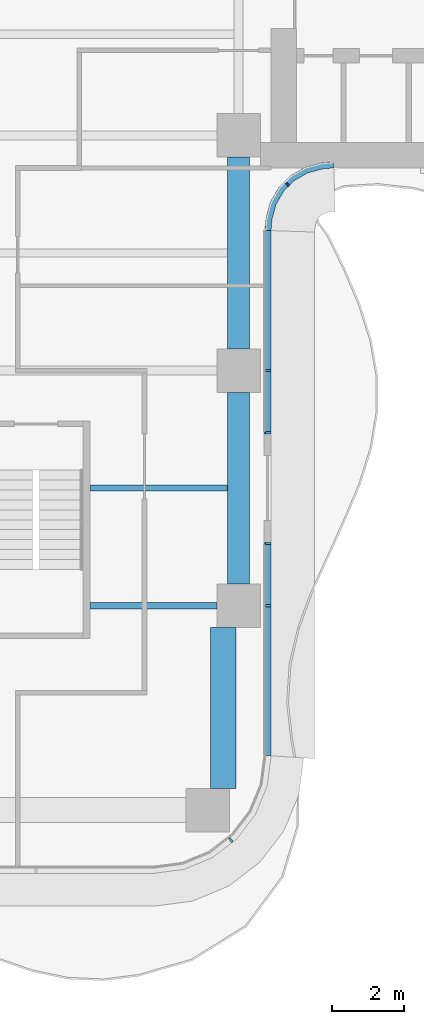
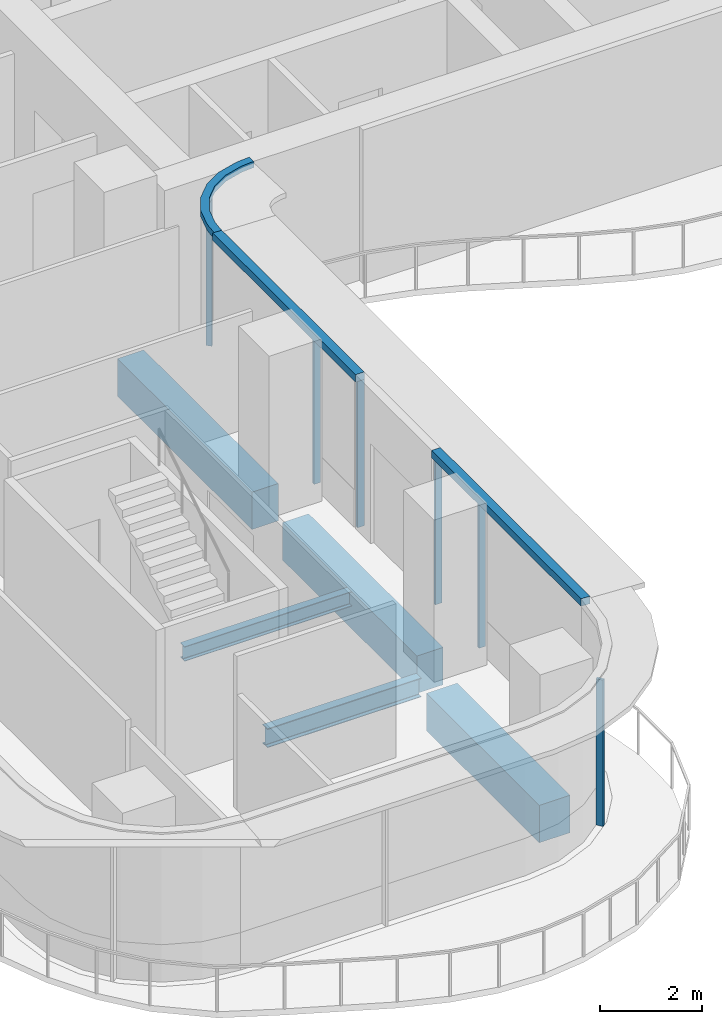
# One storey, part 5 of 17: 9 members, 5 beams, 4 elements without a shape of their own.
"""IFC4 building model written with IfcOpenShell, lengths in metres."""

from ifc_helpers import new_model, si_unit, direction, frame, origin, origin_2d, place, context, subcontext, project, spatial, polyline, rectangle, i_section, outline, extrude, source, transform, mapped, material, layer, layer_set, material_profile, profile_set, type_object, element, aggregate, save


model = new_model("IFC4")

# Units and contexts
model_context = context("Model", 3, precision=1e-05, world=origin(), true_north=direction((0.0, 1.0)))
body_context = subcontext(model_context, "Body", "Model", "MODEL_VIEW")
ifc_project = project(units=[si_unit("LENGTHUNIT", "METRE"), si_unit("AREAUNIT", "SQUARE_METRE"), si_unit("VOLUMEUNIT", "CUBIC_METRE"), si_unit("PLANEANGLEUNIT", "RADIAN"), si_unit("MASSUNIT", "GRAM", prefix="KILO")], contexts=[model_context])

# Site, building, storey
site_placement = place(None, origin())
site = spatial("IfcSite", under=ifc_project, at=site_placement, CompositionType="ELEMENT")
building_placement = place(site_placement, origin())
building = spatial("IfcBuilding", under=site, at=building_placement, Name="Trellis Farm Tower", CompositionType="ELEMENT")
storey_placement = place(building_placement, frame((0.0, 0.0, 185.39990234375)))
storey = spatial("IfcBuildingStorey", under=building, at=storey_placement, Name="L40", CompositionType="ELEMENT", Elevation=185.39990234375)

# Beams
ifc_material_1 = material(Name="Steel S355", Category="steel")
ifc_material_profile_1 = material_profile(ifc_material_1, i_section(OverallWidth=0.1904296875, OverallDepth=0.45703125, WebThickness=0.009033203125, FlangeThickness=0.014404296875, FilletRadius=0.01025390625, at=origin_2d()), Name="UB 457x191x74")
ifc_profile_set_1 = profile_set([ifc_material_profile_1], Name="Steel S355")
beam_type_1 = type_object("IfcBeamType", Name="UB 457x191x74", PredefinedType="BEAM", material=ifc_profile_set_1)
shared_shape_1 = source(origin(), body_context, "Body", "SweptSolid", [
    extrude(i_section(OverallWidth=0.1904296875, OverallDepth=0.45703125, WebThickness=0.009033203125, FlangeThickness=0.014404296875, FilletRadius=0.01025390625, at=origin_2d()), origin(), (0.0, 0.0, 1.0), 3.5),
])
beam_1_placement = place(storey_placement, frame((1.5, -18.60009765625, -0.428466796875), z_axis=(1.0, 0.0, 0.0), x_axis=(0.0, 1.0, 0.0)))
element("IfcBeam", 1, at=beam_1_placement, inside=storey, type_object=beam_type_1, Name="Girder", PredefinedType="BEAM", context=body_context, shape_type="MappedRepresentation", body=[
    mapped(shared_shape_1, transform((0.0, 0.0, 0.0))),
])
ifc_material_2 = material(Name="Concrete C60/75", Category="concrete")
ifc_material_profile_2 = material_profile(ifc_material_2, rectangle(XDim=0.60009765625, YDim=0.89990234375, at=origin_2d()), Name="RC spandrel beam 600x900 C60/75")
ifc_profile_set_2 = profile_set([ifc_material_profile_2], Name="Concrete C60/75")
beam_type_2 = type_object("IfcBeamType", Name="RC spandrel beam 600x900 C60/75", PredefinedType="SPANDREL", material=ifc_profile_set_2)
shared_shape_2 = source(origin(), body_context, "Body", "SweptSolid", [
    extrude(rectangle(XDim=0.60009765625, YDim=0.89990234375, at=origin_2d()), origin(), (0.0, 0.0, 1.0), 5.300048828125),
])
for number, where, z_axis, x_axis, name in (
    (2, (5.60009765625, -18.0, -0.64990234375), (0.0, 1.0, 0.0), (-1.0, 0.0, 0.0), "Girder"),
    (3, (5.60009765625, -11.5, -0.64990234375), (0.0, 1.0, 0.0), (-1.0, 0.0, 0.0), "Girder"),
):
    element("IfcBeam", number, at=place(storey_placement, frame(where, z_axis=z_axis, x_axis=x_axis)), inside=storey, type_object=beam_type_2, Name=name, PredefinedType="SPANDREL", context=body_context, shape_type="MappedRepresentation", body=[
        mapped(shared_shape_2, transform((0.0, 0.0, 0.0))),
    ])
ifc_material_profile_3 = material_profile(ifc_material_2, rectangle(XDim=0.699951171875, YDim=0.89990234375, at=origin_2d()), Name="RC spandrel beam 700x900 C60/75")
ifc_profile_set_3 = profile_set([ifc_material_profile_3], Name="Concrete C60/75")
beam_type_3 = type_object("IfcBeamType", Name="RC spandrel beam 700x900 C60/75", PredefinedType="SPANDREL", material=ifc_profile_set_3)
shared_shape_3 = source(origin(), body_context, "Body", "SweptSolid", [
    extrude(rectangle(XDim=0.699951171875, YDim=0.89990234375, at=origin_2d()), origin(), (0.0, 0.0, 1.0), 4.449951171875),
])
beam_2_placement = place(storey_placement, frame((5.175048828125, -23.64990234375, -0.64990234375), z_axis=(0.0, 1.0, 0.0), x_axis=(-1.0, 0.0, 0.0)))
element("IfcBeam", 4, at=beam_2_placement, inside=storey, type_object=beam_type_3, Name="Girder", PredefinedType="SPANDREL", context=body_context, shape_type="MappedRepresentation", body=[
    mapped(shared_shape_3, transform((0.0, 0.0, 0.0))),
])
ifc_material_profile_4 = material_profile(ifc_material_1, i_section(OverallWidth=0.17138671875, OverallDepth=0.35498046875, WebThickness=0.00732421875, FlangeThickness=0.011474609375, FilletRadius=0.01025390625, at=origin_2d()), Name="UB 356x171x51")
ifc_profile_set_4 = profile_set([ifc_material_profile_4], Name="Steel S355")
beam_type_4 = type_object("IfcBeamType", Name="UB 356x171x51 joist", PredefinedType="JOIST", material=ifc_profile_set_4)
shared_shape_4 = source(origin(), body_context, "Body", "SweptSolid", [
    extrude(i_section(OverallWidth=0.17138671875, OverallDepth=0.35498046875, WebThickness=0.00732421875, FlangeThickness=0.011474609375, FilletRadius=0.01025390625, at=origin_2d()), origin(), (0.0, 0.0, 1.0), 3.800048828125),
])
beam_3_placement = place(storey_placement, frame((1.5, -15.35009765625, -0.37744140625), z_axis=(1.0, 0.0, 0.0), x_axis=(0.0, 1.0, 0.0)))
element("IfcBeam", 5, at=beam_3_placement, inside=storey, type_object=beam_type_4, Name="Floor beam", PredefinedType="JOIST", context=body_context, shape_type="MappedRepresentation", body=[
    mapped(shared_shape_4, transform((0.0, 0.0, 0.0))),
])

# Curtain wall, member
ifc_material_3 = material(Name="Aluminium and glass curtain wall", Category="aluminium")
ifc_layer_1 = layer(ifc_material_3, 0.18994140625)
ifc_layer_set_1 = layer_set([ifc_layer_1], Name="RIBBON CURTAIN WALL CW1")
curtain_wall_type_1 = type_object("IfcCurtainWallType", Name="RIBBON CURTAIN WALL CW1", PredefinedType="NOTDEFINED", material=ifc_layer_set_1)
placement_1 = place(storey_placement, origin())
curtain_wall_1 = element("IfcCurtainWall", 6, at=placement_1, inside=storey, type_object=curtain_wall_type_1, Name="CW1 003", PredefinedType="NOTDEFINED")
ifc_material_4 = material(Name="Aluminium extrusion 6063-T6", Category="aluminium")
ifc_material_profile_5 = material_profile(ifc_material_4, rectangle(XDim=0.06005859375, YDim=0.14990234375, at=origin_2d()), Name="MULLION 60x150")
ifc_profile_set_5 = profile_set([ifc_material_profile_5], Name="Aluminium extrusion 6063-T6")
member_type_1 = type_object("IfcMemberType", Name="CW1 MULLION 60x150", PredefinedType="MULLION", material=ifc_profile_set_5)
shared_shape_5 = source(origin(), body_context, "Body", "SweptSolid", [
    extrude(rectangle(XDim=0.06005859375, YDim=0.14990234375, at=origin_2d()), origin(), (0.0, 0.0, 1.0), 3.52001953125),
])
member_1_placement = place(storey_placement, frame((5.385498046875, -25.078369140625, 0.0), z_axis=(0.0, 0.0, 1.0), x_axis=(0.793353340291, 0.608761429009, 0.0)))
member_1 = element("IfcMember", 7, at=member_1_placement, type_object=member_type_1, Name="MU1 003-02", PredefinedType="MULLION", context=body_context, shape_type="MappedRepresentation", body=[
    mapped(shared_shape_5, transform((0.0, 0.0, 0.0))),
])
aggregate(curtain_wall_1, [member_1])

# Curtain wall, members
curtain_wall_2 = element("IfcCurtainWall", 8, at=placement_1, inside=storey, type_object=curtain_wall_type_1, Name="CW1 004", PredefinedType="NOTDEFINED")
member_2_placement = place(storey_placement, frame((6.425048828125, -18.60009765625, 0.0), z_axis=(0.0, 0.0, 1.0), x_axis=(0.0, 1.0, 0.0)))
member_2 = element("IfcMember", 9, at=member_2_placement, type_object=member_type_1, Name="MU1 004-01", PredefinedType="MULLION", context=body_context, shape_type="MappedRepresentation", body=[
    mapped(shared_shape_5, transform((0.0, 0.0, 0.0))),
])
member_3_placement = place(storey_placement, frame((6.425048828125, -16.8798828125, 0.0), z_axis=(0.0, 0.0, 1.0), x_axis=(0.0, 1.0, 0.0)))
member_3 = element("IfcMember", 10, at=member_3_placement, type_object=member_type_1, Name="MU1 004-02", PredefinedType="MULLION", context=body_context, shape_type="MappedRepresentation", body=[
    mapped(shared_shape_5, transform((0.0, 0.0, 0.0))),
])

curtain_wall_3 = element("IfcCurtainWall", 11, at=placement_1, inside=storey, type_object=curtain_wall_type_1, Name="CW1 005", PredefinedType="NOTDEFINED")
member_4_placement = place(storey_placement, frame((6.425048828125, -13.820068359375, 0.0), z_axis=(0.0, 0.0, 1.0), x_axis=(0.0, 1.0, 0.0)))
member_4 = element("IfcMember", 12, at=member_4_placement, type_object=member_type_1, Name="MU1 005-01", PredefinedType="MULLION", context=body_context, shape_type="MappedRepresentation", body=[
    mapped(shared_shape_5, transform((0.0, 0.0, 0.0))),
])
member_5_placement = place(storey_placement, frame((6.425048828125, -12.10009765625, 0.0), z_axis=(0.0, 0.0, 1.0), x_axis=(0.0, 1.0, 0.0)))
member_5 = element("IfcMember", 13, at=member_5_placement, type_object=member_type_1, Name="MU1 005-02", PredefinedType="MULLION", context=body_context, shape_type="MappedRepresentation", body=[
    mapped(shared_shape_5, transform((0.0, 0.0, 0.0))),
])

ifc_layer_2 = layer(ifc_material_3, 0.166015625)
ifc_layer_set_2 = layer_set([ifc_layer_2], Name="WINTER GARDEN CURTAIN WALL CW3")
curtain_wall_type_2 = type_object("IfcCurtainWallType", Name="WINTER GARDEN CURTAIN WALL CW3", PredefinedType="NOTDEFINED", material=ifc_layer_set_2)
curtain_wall_4 = element("IfcCurtainWall", 14, at=placement_1, inside=storey, type_object=curtain_wall_type_2, Name="CW3 002", PredefinedType="NOTDEFINED")
ifc_material_profile_6 = material_profile(ifc_material_4, rectangle(XDim=0.050048828125, YDim=0.1201171875, at=origin_2d()), Name="MULLION 50x120")
ifc_profile_set_6 = profile_set([ifc_material_profile_6], Name="Aluminium extrusion 6063-T6")
member_type_2 = type_object("IfcMemberType", Name="CW3 MULLION 50x120", PredefinedType="MULLION", material=ifc_profile_set_6)
shared_shape_6 = source(origin(), body_context, "Body", "SweptSolid", [
    extrude(rectangle(XDim=0.050048828125, YDim=0.1201171875, at=origin_2d()), origin(), (0.0, 0.0, 1.0), 3.550048828125),
])
member_6_placement = place(storey_placement, frame((6.953125, -6.953125, 0.0), z_axis=(0.0, 0.0, 1.0), x_axis=(0.707106781187, 0.707106781187, 0.0)))
member_6 = element("IfcMember", 15, at=member_6_placement, type_object=member_type_2, Name="MU3 002-01", PredefinedType="MULLION", context=body_context, shape_type="MappedRepresentation", body=[
    mapped(shared_shape_6, transform((0.0, 0.0, 0.0))),
])
ifc_layer_3 = layer(ifc_material_4, 0.169921875)
ifc_layer_set_3 = layer_set([ifc_layer_3], Name="Aluminium extrusion 6063-T6")
member_type_3 = type_object("IfcMemberType", Name="CW3 TRANSOM 170x150", PredefinedType="USERDEFINED", material=ifc_layer_set_3)
shared_shape_7 = source(origin(), body_context, "Body", "SweptSolid", [
    extrude(outline(polyline([(6.5, -8.2314453125), (6.513916015625, -8.01953125), (6.527587890625, -7.91552734375), (6.63671875, -7.508544921875), (6.846923828125, -7.144287109375), (7.144287109375, -6.846923828125), (7.508544921875, -6.63671875), (7.91552734375, -6.527587890625), (8.01953125, -6.513916015625), (8.2314453125, -6.5), (8.225830078125, -6.330078125), (8.0029296875, -6.3447265625), (7.88232421875, -6.360595703125), (7.44287109375, -6.478271484375), (7.0400390625, -6.7109375), (6.7109375, -7.0400390625), (6.478271484375, -7.44287109375), (6.360595703125, -7.88232421875), (6.3447265625, -8.0029296875), (6.330078125, -8.225830078125), (6.5, -8.2314453125)])), origin(), (0.0, 0.0, 1.0), 0.150146484375),
])
member_7_placement = place(storey_placement, frame((0.0, 0.0, 3.550048828125)))
member_7 = element("IfcMember", 16, at=member_7_placement, type_object=member_type_3, Name="TR3 002", ObjectType="TRANSOM", PredefinedType="USERDEFINED", context=body_context, shape_type="MappedRepresentation", body=[
    mapped(shared_shape_7, transform((0.0, 0.0, 0.0))),
])
aggregate(curtain_wall_4, [member_6, member_7])

# Member
ifc_layer_4 = layer(ifc_material_4, 0.199951171875)
ifc_layer_set_4 = layer_set([ifc_layer_4], Name="Aluminium extrusion 6063-T6")
member_type_4 = type_object("IfcMemberType", Name="CW1 TRANSOM 200x180", PredefinedType="USERDEFINED", material=ifc_layer_set_4)
shared_shape_8 = source(origin(), body_context, "Body", "SweptSolid", [
    extrude(outline(polyline([(6.5, -22.75), (6.5, -16.85009765625), (6.300048828125, -16.85009765625), (6.300048828125, -22.73681640625), (6.5, -22.75)])), origin(), (0.0, 0.0, 1.0), 0.18017578125),
])
placement_2 = place(storey_placement, frame((0.0, 0.0, 3.52001953125)))
member_8 = element("IfcMember", 17, at=placement_2, type_object=member_type_4, Name="TR1 004", ObjectType="TRANSOM", PredefinedType="USERDEFINED", context=body_context, shape_type="MappedRepresentation", body=[
    mapped(shared_shape_8, transform((0.0, 0.0, 0.0))),
])

aggregate(curtain_wall_2, [member_2, member_3, member_8])

shared_shape_9 = source(origin(), body_context, "Body", "SweptSolid", [
    extrude(outline(polyline([(6.5, -13.85009765625), (6.5, -8.2314453125), (6.300048828125, -8.224853515625), (6.300048828125, -13.85009765625), (6.5, -13.85009765625)])), origin(), (0.0, 0.0, 1.0), 0.18017578125),
])
member_9 = element("IfcMember", 18, at=placement_2, type_object=member_type_4, Name="TR1 005", ObjectType="TRANSOM", PredefinedType="USERDEFINED", context=body_context, shape_type="MappedRepresentation", body=[
    mapped(shared_shape_9, transform((0.0, 0.0, 0.0))),
])

aggregate(curtain_wall_3, [member_4, member_5, member_9])

save(model, "model.ifc")
